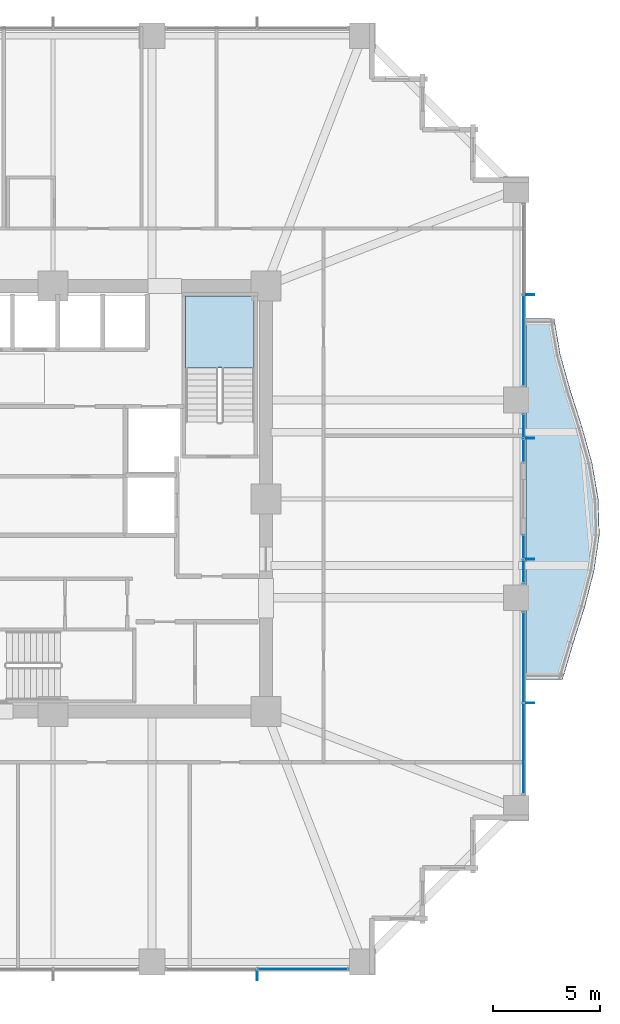
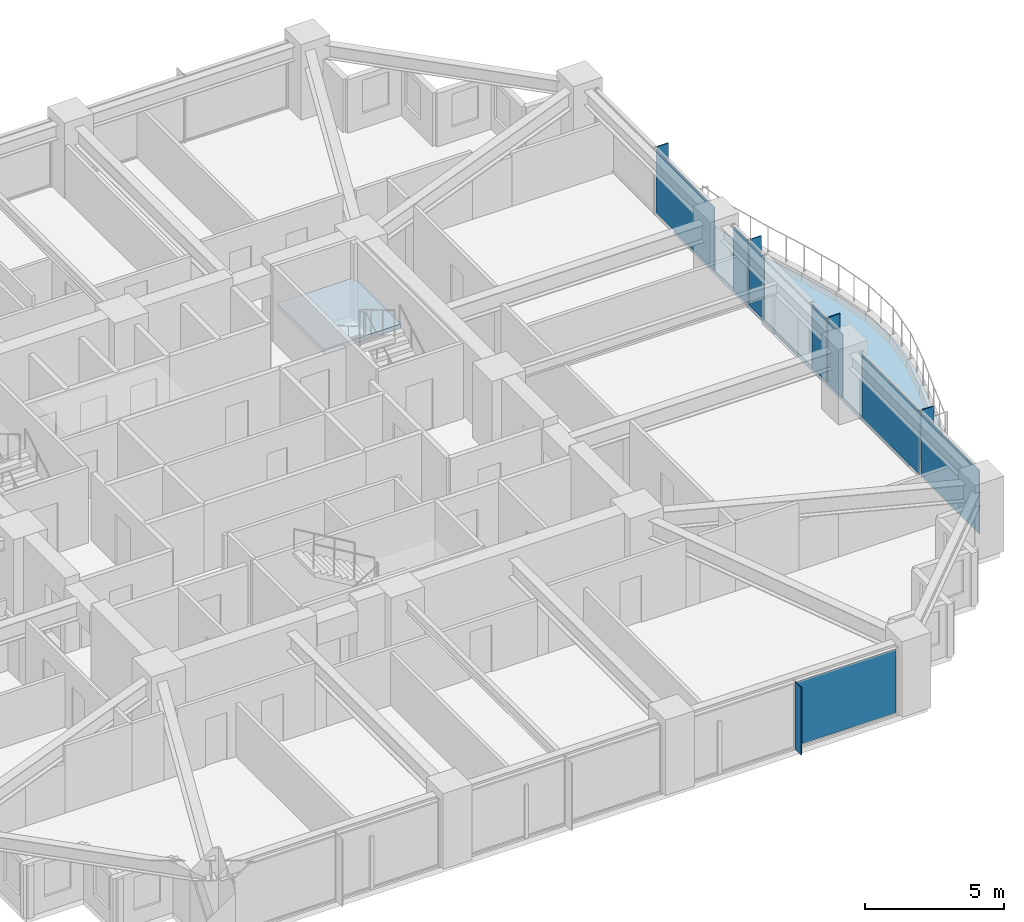
# One storey, part 30 of 38: 13 plates, 2 slabs, 6 elements without a shape of their own.
"""IFC4 building model written with IfcOpenShell, lengths in metres."""

from ifc_helpers import new_model, si_unit, direction, frame, origin, origin_2d, place, context, subcontext, project, spatial, polyline, rectangle, outline, extrude, material, layer, layer_set, type_object, element, aggregate, save


model = new_model("IFC4")

# Units and contexts
model_context = context("Model", 3, precision=1e-05, world=origin(), true_north=direction((0.0, 1.0)))
body_context = subcontext(model_context, "Body", "Model", "MODEL_VIEW")
ifc_project = project(units=[si_unit("LENGTHUNIT", "METRE"), si_unit("AREAUNIT", "SQUARE_METRE"), si_unit("VOLUMEUNIT", "CUBIC_METRE"), si_unit("PLANEANGLEUNIT", "RADIAN"), si_unit("MASSUNIT", "GRAM", prefix="KILO")], contexts=[model_context])

# Site, building, storey
site_placement = place(None, origin())
site = spatial("IfcSite", under=ifc_project, at=site_placement, CompositionType="ELEMENT")
building_placement = place(site_placement, origin())
building = spatial("IfcBuilding", under=site, at=building_placement, Name="Kolvaren Belvedere", CompositionType="ELEMENT")
storey_placement = place(building_placement, frame((0.0, 0.0, 60.10009765625)))
storey = spatial("IfcBuildingStorey", under=building, at=storey_placement, Name="L17", CompositionType="ELEMENT", Elevation=60.10009765625)

# Curtain wall, plate
ifc_material_1 = material(Name="Anodised pale-metal aluminium AA 6063-T6", Category="aluminium")
curtain_wall_type = type_object("IfcCurtainWallType", Name="CW-Z1-LOW", PredefinedType="NOTDEFINED", material=ifc_material_1)
curtain_wall_1_placement = place(storey_placement, origin())
curtain_wall_1 = element("IfcCurtainWall", 1, at=curtain_wall_1_placement, inside=storey, type_object=curtain_wall_type, Name="L17 Unitised Curtain Wall FCW-L17-S-B1", PredefinedType="NOTDEFINED")
ifc_material_2 = material(Name="Low-iron triple insulated glass", Category="glass")
ifc_layer_1 = layer(ifc_material_2, 0.028076171875)
ifc_layer_set_1 = layer_set([ifc_layer_1], Name="Low-iron triple insulated glass")
plate_type_1 = type_object("IfcPlateType", Name="CW-PNL-VIS28", PredefinedType="CURTAIN_PANEL", material=ifc_layer_set_1)
plate_1_placement = place(storey_placement, frame((11.62255859375, -21.8798828125, 0.079833984375), z_axis=(0.0, 0.0, 1.0), x_axis=(-1.0, 0.0, 0.0)))
plate_1 = element("IfcPlate", 2, at=plate_1_placement, type_object=plate_type_1, Name="FCW-L17-S-B1 Vision Glazing Panel 1", PredefinedType="CURTAIN_PANEL", context=body_context, shape_type="SweptSolid", body=[
    extrude(rectangle(XDim=4.1650390625, YDim=0.028076171875, at=origin_2d()), origin(), (0.0, 0.0, 1.0), 2.7900390625),
])
aggregate(curtain_wall_1, [plate_1])

curtain_wall_2_placement = place(storey_placement, origin())
curtain_wall_2 = element("IfcCurtainWall", 3, at=curtain_wall_2_placement, inside=storey, type_object=curtain_wall_type, Name="L17 Unitised Curtain Wall FCW-L17-E1-B1", PredefinedType="NOTDEFINED")
plate_2_placement = place(storey_placement, frame((21.8798828125, 7.37744140625, 0.079833984375), z_axis=(0.0, 0.0, 1.0), x_axis=(0.0, -1.0, 0.0)))
plate_2 = element("IfcPlate", 4, at=plate_2_placement, type_object=plate_type_1, Name="FCW-L17-E1-B1 Vision Glazing Panel 2", PredefinedType="CURTAIN_PANEL", context=body_context, shape_type="SweptSolid", body=[
    extrude(rectangle(XDim=4.1650390625, YDim=0.028076171875, at=origin_2d()), origin(), (0.0, 0.0, 1.0), 2.7900390625),
])
aggregate(curtain_wall_2, [plate_2])

# Curtain wall, plates
curtain_wall_3_placement = place(storey_placement, origin())
curtain_wall_3 = element("IfcCurtainWall", 5, at=curtain_wall_3_placement, inside=storey, type_object=curtain_wall_type, Name="L17 Unitised Curtain Wall FCW-L17-E1-B2", PredefinedType="NOTDEFINED")
plate_3_placement = place(storey_placement, frame((21.8798828125, 3.37890625, 0.079833984375), z_axis=(0.0, 0.0, 1.0), x_axis=(0.0, -1.0, 0.0)))
plate_3 = element("IfcPlate", 6, at=plate_3_placement, type_object=plate_type_1, Name="FCW-L17-E1-B2 Vision Glazing Panel 1", PredefinedType="CURTAIN_PANEL", context=body_context, shape_type="SweptSolid", body=[
    extrude(rectangle(XDim=1.052490234375, YDim=0.028076171875, at=origin_2d()), origin(), (0.0, 0.0, 1.0), 2.7900390625),
])
plate_4_placement = place(storey_placement, frame((21.8798828125, 2.24609375, 0.079833984375), z_axis=(0.0, 0.0, 1.0), x_axis=(0.0, -1.0, 0.0)))
plate_4 = element("IfcPlate", 7, at=plate_4_placement, type_object=plate_type_1, Name="FCW-L17-E1-B2 Vision Glazing Panel 2", PredefinedType="CURTAIN_PANEL", context=body_context, shape_type="SweptSolid", body=[
    extrude(rectangle(XDim=1.052490234375, YDim=0.028076171875, at=origin_2d()), origin(), (0.0, 0.0, 1.0), 2.7900390625),
])
aggregate(curtain_wall_3, [plate_3, plate_4])

curtain_wall_4_placement = place(storey_placement, origin())
curtain_wall_4 = element("IfcCurtainWall", 8, at=curtain_wall_4_placement, inside=storey, type_object=curtain_wall_type, Name="L17 Unitised Curtain Wall FCW-L17-E2-B1", PredefinedType="NOTDEFINED")
plate_5_placement = place(storey_placement, frame((21.8798828125, -2.24609375, 0.079833984375), z_axis=(0.0, 0.0, 1.0), x_axis=(0.0, -1.0, 0.0)))
plate_5 = element("IfcPlate", 9, at=plate_5_placement, type_object=plate_type_1, Name="FCW-L17-E2-B1 Vision Glazing Panel 1", PredefinedType="CURTAIN_PANEL", context=body_context, shape_type="SweptSolid", body=[
    extrude(rectangle(XDim=1.052490234375, YDim=0.028076171875, at=origin_2d()), origin(), (0.0, 0.0, 1.0), 2.7900390625),
])
plate_6_placement = place(storey_placement, frame((21.8798828125, -3.378662109375, 0.079833984375), z_axis=(0.0, 0.0, 1.0), x_axis=(0.0, -1.0, 0.0)))
plate_6 = element("IfcPlate", 10, at=plate_6_placement, type_object=plate_type_1, Name="FCW-L17-E2-B1 Vision Glazing Panel 2", PredefinedType="CURTAIN_PANEL", context=body_context, shape_type="SweptSolid", body=[
    extrude(rectangle(XDim=1.052490234375, YDim=0.028076171875, at=origin_2d()), origin(), (0.0, 0.0, 1.0), 2.7900390625),
])
aggregate(curtain_wall_4, [plate_5, plate_6])

curtain_wall_5_placement = place(storey_placement, origin())
curtain_wall_5 = element("IfcCurtainWall", 11, at=curtain_wall_5_placement, inside=storey, type_object=curtain_wall_type, Name="L17 Unitised Curtain Wall FCW-L17-E2-B2", PredefinedType="NOTDEFINED")
plate_7_placement = place(storey_placement, frame((21.8798828125, -7.37744140625, 0.079833984375), z_axis=(0.0, 0.0, 1.0), x_axis=(0.0, -1.0, 0.0)))
plate_7 = element("IfcPlate", 12, at=plate_7_placement, type_object=plate_type_1, Name="FCW-L17-E2-B2 Vision Glazing Panel 1", PredefinedType="CURTAIN_PANEL", context=body_context, shape_type="SweptSolid", body=[
    extrude(rectangle(XDim=4.1650390625, YDim=0.028076171875, at=origin_2d()), origin(), (0.0, 0.0, 1.0), 2.7900390625),
])
plate_8_placement = place(storey_placement, frame((21.8798828125, -11.62255859375, 0.079833984375), z_axis=(0.0, 0.0, 1.0), x_axis=(0.0, -1.0, 0.0)))
plate_8 = element("IfcPlate", 13, at=plate_8_placement, type_object=plate_type_1, Name="FCW-L17-E2-B2 Vision Glazing Panel 2", PredefinedType="CURTAIN_PANEL", context=body_context, shape_type="SweptSolid", body=[
    extrude(rectangle(XDim=4.1650390625, YDim=0.028076171875, at=origin_2d()), origin(), (0.0, 0.0, 1.0), 2.7900390625),
])
aggregate(curtain_wall_5, [plate_7, plate_8])

# Plates
ifc_material_3 = material(Name="Anodised pale-metal aluminium AA 6063-T6", Category="aluminium")
ifc_layer_2 = layer(ifc_material_3, 0.0380859375)
ifc_layer_set_2 = layer_set([ifc_layer_2], Name="Anodised pale-metal aluminium AA 6063-T6")
plate_type_2 = type_object("IfcPlateType", Name="FIN-VERT-450", PredefinedType="USERDEFINED", material=ifc_layer_set_2)
for number, where, z_axis, x_axis, name in (
    (14, (9.5, -22.1650390625, 0.0), (0.0, 0.0, 1.0), (0.0, 1.0, 0.0), "L17 Pale-Metal Vertical Shading Fin FCW-L17-S-B1-1"),
    (15, (22.1650390625, 9.5, 0.0), (0.0, 0.0, 1.0), (1.0, 0.0, 0.0), "L17 Pale-Metal Vertical Shading Fin FCW-L17-E1-B1-1"),
    (16, (22.1650390625, 2.8125, 0.0), (0.0, 0.0, 1.0), (1.0, 0.0, 0.0), "L17 Pale-Metal Vertical Shading Fin FCW-L17-E1-B2-1"),
    (17, (22.1650390625, -2.8125, 0.0), (0.0, 0.0, 1.0), (1.0, 0.0, 0.0), "L17 Pale-Metal Vertical Shading Fin FCW-L17-E2-B1-1"),
    (18, (22.1650390625, -9.5, 0.0), (0.0, 0.0, 1.0), (1.0, 0.0, 0.0), "L17 Pale-Metal Vertical Shading Fin FCW-L17-E2-B2-1"),
):
    element("IfcPlate", number, at=place(storey_placement, frame(where, z_axis=z_axis, x_axis=x_axis)), inside=storey, type_object=plate_type_2, Name=name, ObjectType="VERTICAL FIN", PredefinedType="USERDEFINED", context=body_context, shape_type="SweptSolid", body=[
        extrude(rectangle(XDim=0.449951171875, YDim=0.0380859375, at=origin_2d()), origin(), (0.0, 0.0, 1.0), 2.949951171875),
    ])

# Slab
ifc_material_4 = material(Name="Concrete C50/60", Category="concrete")
ifc_layer_3 = layer(ifc_material_4, 0.179931640625)
ifc_layer_set_3 = layer_set([ifc_layer_3], Name="Concrete C50/60")
slab_type_1 = type_object("IfcSlabType", Name="SL-BAL-180", PredefinedType="FLOOR", material=ifc_layer_set_3)
slab_1_placement = place(storey_placement, frame((0.0, 0.0, -0.239990234375)))
element("IfcSlab", 19, at=slab_1_placement, inside=storey, type_object=slab_type_1, Name="L17 Planted Balcony BAL-E", PredefinedType="FLOOR", context=body_context, shape_type="SweptSolid", body=[
    extrude(outline(polyline([(23.705078125, -8.39990234375), (24.20458984375, -6.719970703125), (24.737548828125, -5.0400390625), (25.172119140625, -3.360107421875), (25.419921875, -1.679931640625), (25.3671875, 0.0), (25.079345703125, 1.679931640625), (24.608642578125, 3.360107421875), (24.0712890625, 5.0400390625), (23.6005859375, 6.719970703125), (23.31298828125, 8.39990234375), (22.0, 8.39990234375), (22.0, 6.719970703125), (22.0, 5.0400390625), (22.0, 3.360107421875), (22.0, 1.679931640625), (22.0, 0.0), (22.0, -1.679931640625), (22.0, -3.360107421875), (22.0, -5.0400390625), (22.0, -6.719970703125), (22.0, -8.39990234375), (23.705078125, -8.39990234375)])), origin(), (0.0, 0.0, 1.0), 0.179931640625),
])

# Stair, slab
ifc_material_5 = material(Name="Concrete C50/60", Category="concrete")
stair_type = type_object("IfcStairType", Name="ST-CORE-1520", PredefinedType="HALF_TURN_STAIR", material=ifc_material_5)
stair_placement = place(storey_placement, origin())
stair = element("IfcStair", 20, at=stair_placement, inside=storey, type_object=stair_type, Name="L17 Protected Exit Stair ST-2", PredefinedType="HALF_TURN_STAIR")
ifc_material_6 = material(Name="Concrete C50/60", Category="concrete")
ifc_layer_4 = layer(ifc_material_6, 0.260009765625)
ifc_layer_set_4 = layer_set([ifc_layer_4], Name="Concrete C50/60")
slab_type_2 = type_object("IfcSlabType", Name="SL-LAND-260", PredefinedType="LANDING", material=ifc_layer_set_4)
slab_2_placement = place(storey_placement, frame((0.0, 0.0, 1.449951171875)))
slab_2 = element("IfcSlab", 21, at=slab_2_placement, type_object=slab_type_2, Name="ST-2 landing 1", PredefinedType="LANDING", context=body_context, shape_type="SweptSolid", body=[
    extrude(outline(polyline([(9.35009765625, 6.090087890625), (9.35009765625, 9.449951171875), (6.159912109375, 9.449951171875), (6.159912109375, 6.090087890625), (9.35009765625, 6.090087890625)])), origin(), (0.0, 0.0, 1.0), 0.199951171875),
])
aggregate(stair, [slab_2])

save(model, "model.ifc")
